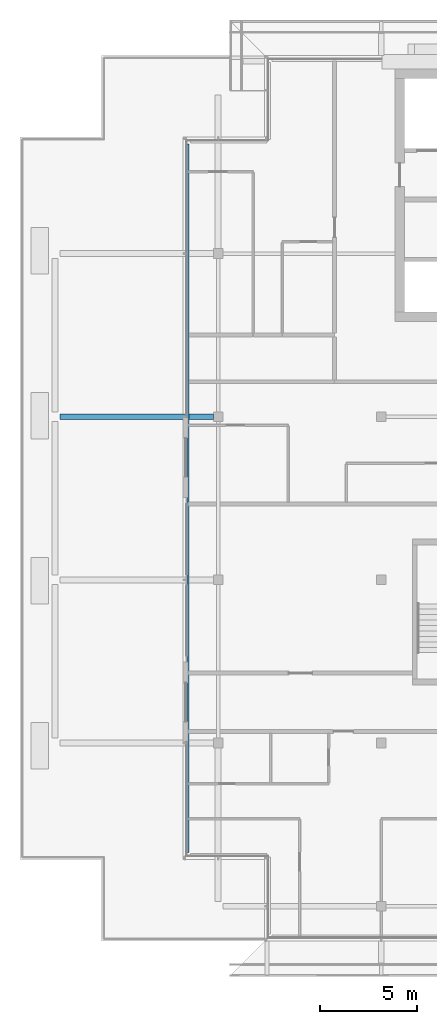
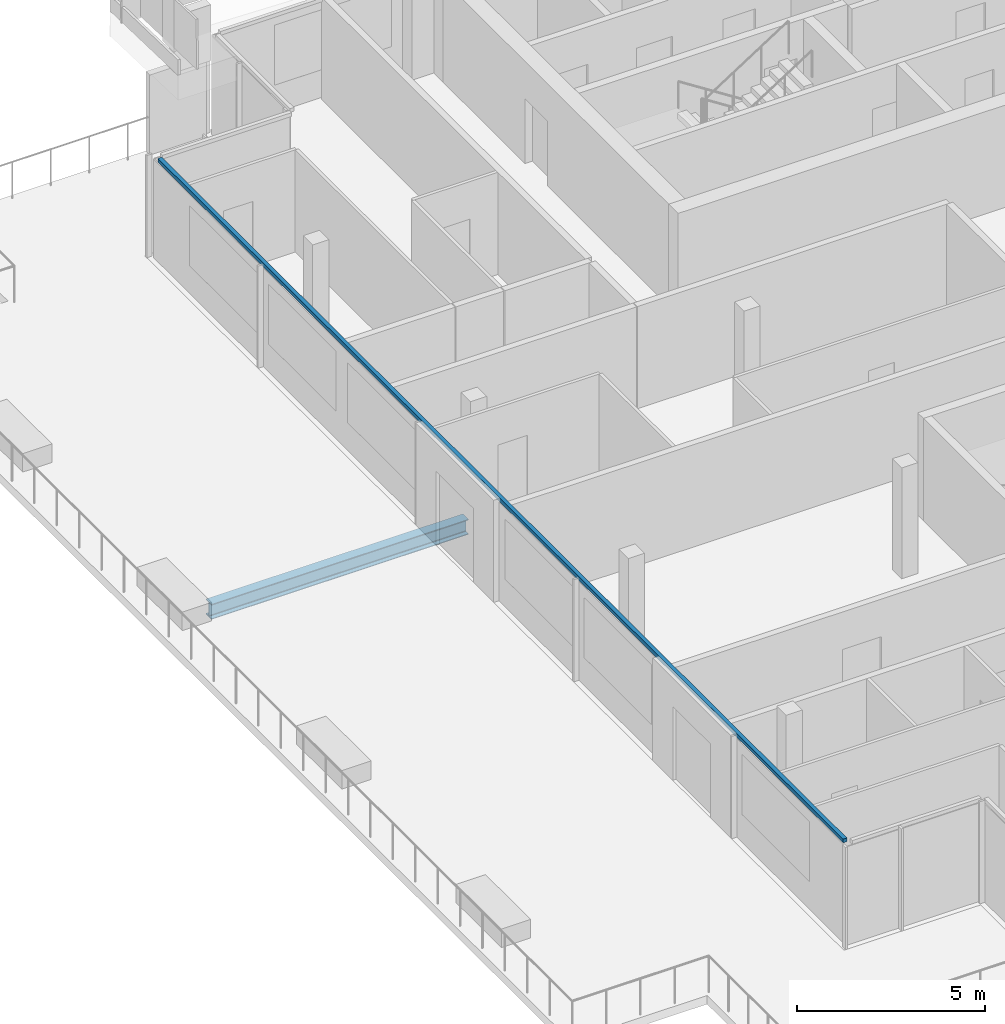
# One storey, part 4 of 29: 1 beam, 1 member, 1 element without a shape of its own.
"""IFC4 building model written with IfcOpenShell, lengths in metres."""

from ifc_helpers import new_model, si_unit, direction, frame, origin, origin_2d, place, context, subcontext, project, spatial, rectangle, i_section, extrude, material, material_profile, profile_set, type_object, element, aggregate, save


model = new_model("IFC4")

# Units and contexts
model_context = context("Model", 3, precision=1e-05, world=origin(), true_north=direction((0.0, 1.0)))
body_context = subcontext(model_context, "Body", "Model", "MODEL_VIEW")
ifc_project = project(units=[si_unit("LENGTHUNIT", "METRE"), si_unit("AREAUNIT", "SQUARE_METRE"), si_unit("VOLUMEUNIT", "CUBIC_METRE"), si_unit("PLANEANGLEUNIT", "RADIAN"), si_unit("MASSUNIT", "GRAM", prefix="KILO")], contexts=[model_context])

# Site, building, storey
site_placement = place(None, origin())
site = spatial("IfcSite", under=ifc_project, at=site_placement, CompositionType="ELEMENT")
building_placement = place(site_placement, origin())
building = spatial("IfcBuilding", under=site, at=building_placement, Name="Saffron Gate Tower", CompositionType="ELEMENT")
storey_placement = place(building_placement, frame((0.0, 0.0, 270.75)))
storey = spatial("IfcBuildingStorey", under=building, at=storey_placement, Name="L65", CompositionType="ELEMENT", Elevation=270.75)

# Beam
ifc_material_1 = material(Name="Structural steel S355", Category="steel")
ifc_material_profile_1 = material_profile(ifc_material_1, i_section(OverallWidth=0.300048828125, OverallDepth=0.489990234375, WebThickness=0.011962890625, FlangeThickness=0.02294921875, FilletRadius=0.027099609375, at=origin_2d()))
ifc_profile_set_1 = profile_set([ifc_material_profile_1], Name="Structural steel S355")
beam_type = type_object("IfcBeamType", Name="B8 HEA 500", PredefinedType="BEAM", material=ifc_profile_set_1)
beam_placement = place(storey_placement, frame((50.050048828125, 57.0, -0.52490234375), z_axis=(1.0, 0.0, 0.0), x_axis=(0.0, 1.0, 0.0)))
element("IfcBeam", 1, at=beam_placement, inside=storey, type_object=beam_type, Name="B8 TERRACE BEAM", PredefinedType="BEAM", context=body_context, shape_type="SweptSolid", body=[
    extrude(i_section(OverallWidth=0.300048828125, OverallDepth=0.489990234375, WebThickness=0.011962890625, FlangeThickness=0.02294921875, FilletRadius=0.027099609375, at=origin_2d()), origin(), (0.0, 0.0, 1.0), 7.89990234375),
])

# Curtain wall, member
ifc_material_2 = material(Name="Aluminium, bronze anodised", Category="aluminium")
curtain_wall_type = type_object("IfcCurtainWallType", Name="CWS2 curtain wall side facades", PredefinedType="NOTDEFINED", material=ifc_material_2)
curtain_wall_placement = place(storey_placement, origin())
curtain_wall = element("IfcCurtainWall", 2, at=curtain_wall_placement, inside=storey, type_object=curtain_wall_type, Name="CWS2 run 10", PredefinedType="NOTDEFINED")
ifc_material_profile_2 = material_profile(ifc_material_2, rectangle(XDim=0.1201171875, YDim=0.1201171875, at=origin_2d()))
ifc_profile_set_2 = profile_set([ifc_material_profile_2], Name="Aluminium, bronze anodised")
member_type = type_object("IfcMemberType", Name="CWS2 head transom", PredefinedType="USERDEFINED", material=ifc_profile_set_2)
member_placement = place(storey_placement, frame((56.64794921875, 71.031982421875, 3.260009765625), z_axis=(0.0, -1.0, 0.0), x_axis=(1.0, 0.0, 0.0)))
member = element("IfcMember", 3, at=member_placement, type_object=member_type, Name="CWS2 head transom", ObjectType="TRANSOM", PredefinedType="USERDEFINED", context=body_context, shape_type="SweptSolid", body=[
    extrude(rectangle(XDim=0.1201171875, YDim=0.1201171875, at=origin_2d()), origin(), (0.0, 0.0, 1.0), 36.4638671875),
])
aggregate(curtain_wall, [member])

save(model, "model.ifc")
